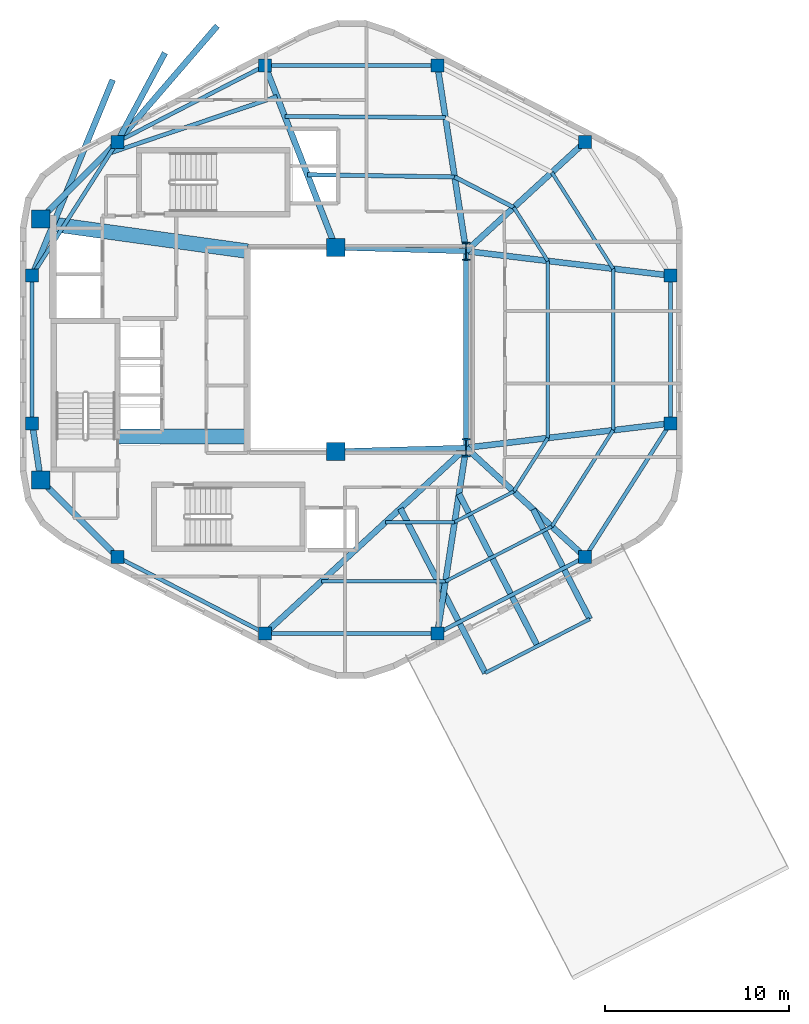
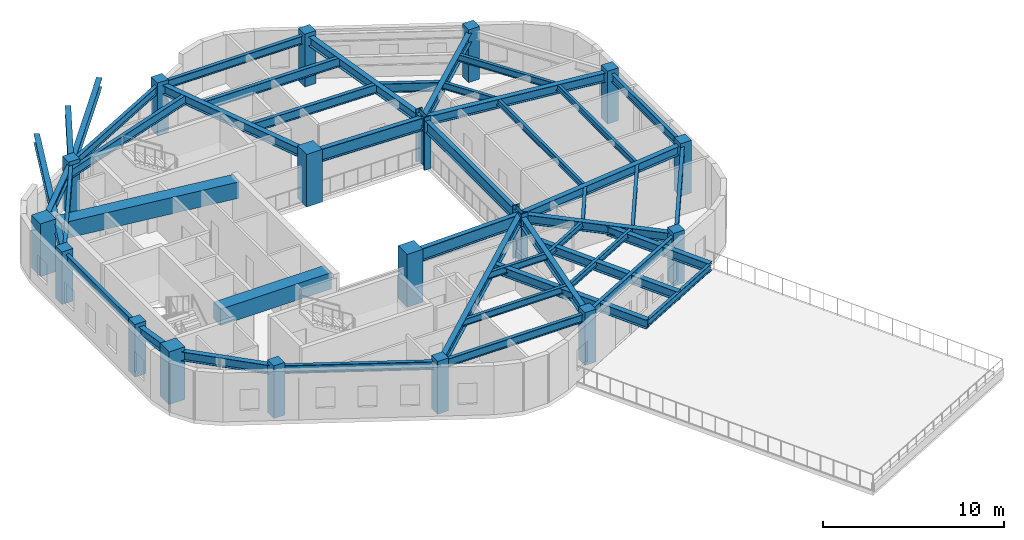
# One storey, part 1 of 8: 46 beams, 18 columns.
"""IFC4 building model written with IfcOpenShell, lengths in metres."""

from ifc_helpers import new_model, si_unit, direction, frame, origin, origin_2d, place, context, subcontext, project, spatial, rectangle, i_section, extrude, material, material_profile, profile_set, type_object, element, save


model = new_model("IFC4")

# Units and contexts
model_context = context("Model", 3, precision=1e-05, world=origin(), true_north=direction((0.0, 1.0)))
body_context = subcontext(model_context, "Body", "Model", "MODEL_VIEW")
ifc_project = project(units=[si_unit("LENGTHUNIT", "METRE"), si_unit("AREAUNIT", "SQUARE_METRE"), si_unit("VOLUMEUNIT", "CUBIC_METRE"), si_unit("PLANEANGLEUNIT", "RADIAN"), si_unit("MASSUNIT", "GRAM", prefix="KILO"), si_unit("THERMODYNAMICTEMPERATUREUNIT", "KELVIN"), si_unit("POWERUNIT", "WATT")], contexts=[model_context])

# Site, building, storey
site_placement = place(None, origin())
site = spatial("IfcSite", under=ifc_project, at=site_placement, CompositionType="ELEMENT")
building_placement = place(site_placement, origin())
building = spatial("IfcBuilding", under=site, at=building_placement, Name="Skarre Station Tower", CompositionType="ELEMENT")
storey_placement = place(building_placement, frame((0.0, 0.0, 245.449951171875)))
storey = spatial("IfcBuildingStorey", under=building, at=storey_placement, Name="L67", CompositionType="ELEMENT", Elevation=245.449951171875)

# Columns
ifc_material_1 = material(Name="Concrete C60/75", Category="concrete")
ifc_material_profile_1 = material_profile(ifc_material_1, rectangle(XDim=1.0, YDim=1.0, at=origin_2d()), Name="Concrete C60/75")
ifc_profile_set_1 = profile_set([ifc_material_profile_1], Name="Concrete C60/75")
column_type_1 = type_object("IfcColumnType", Name="RC Structural Column RC-COL-1000X1000", PredefinedType="COLUMN", material=ifc_profile_set_1)
for number, where, z_axis, x_axis, name in (
    (1, (16.300048828125, 16.89990234375, 0.0), (0.0, 0.0, 1.0), (1.0, 0.0, 0.0), "L67 Core Column CC-SW"),
    (2, (16.300048828125, 31.10009765625, 0.0), (0.0, 0.0, 1.0), (1.0, 0.0, 0.0), "L67 Core Column CC-NW"),
    (3, (32.35009765625, 18.449951171875, 0.0), (0.0, 0.0, 1.0), (1.0, 0.0, 0.0), "L67 Core Column CC-SE"),
    (4, (32.35009765625, 29.550048828125, 0.0), (0.0, 0.0, 1.0), (1.0, 0.0, 0.0), "L67 Core Column CC-NE"),
):
    element("IfcColumn", number, at=place(storey_placement, frame(where, z_axis=z_axis, x_axis=x_axis)), inside=storey, type_object=column_type_1, Name=name, PredefinedType="COLUMN", context=body_context, shape_type="SweptSolid", body=[
        extrude(rectangle(XDim=1.0, YDim=1.0, at=origin_2d()), origin(), (0.0, 0.0, 1.0), 3.550048828125),
    ])
ifc_material_2 = material(Name="Concrete C50/60", Category="concrete")
ifc_material_profile_2 = material_profile(ifc_material_2, rectangle(XDim=0.699951171875, YDim=0.699951171875, at=origin_2d()), Name="Concrete C50/60")
ifc_profile_set_2 = profile_set([ifc_material_profile_2], Name="Concrete C50/60")
column_type_2 = type_object("IfcColumnType", Name="RC Structural Column RC-COL-700X700", PredefinedType="COLUMN", material=ifc_profile_set_2)
for number, where, z_axis, x_axis, name in (
    (5, (45.927001953125, 35.298095703125, 0.0), (0.0, 0.0, 1.0), (1.0, 0.0, 0.0), "L67 Zone 4 Perimeter Column F0C1"),
    (6, (37.888916015625, 39.447021484375, 0.0), (0.0, 0.0, 1.0), (1.0, 0.0, 0.0), "L67 Zone 4 Perimeter Column F0C2"),
    (7, (28.510986328125, 39.447021484375, 0.0), (0.0, 0.0, 1.0), (1.0, 0.0, 0.0), "L67 Zone 4 Perimeter Column F1C1"),
    (8, (20.472900390625, 35.298095703125, 0.0), (0.0, 0.0, 1.0), (1.0, 0.0, 0.0), "L67 Zone 4 Perimeter Column F1C2"),
    (9, (15.8369140625, 28.02099609375, 0.0), (0.0, 0.0, 1.0), (1.0, 0.0, 0.0), "L67 Zone 4 Perimeter Column F2C1"),
    (10, (15.8369140625, 19.97900390625, 0.0), (0.0, 0.0, 1.0), (1.0, 0.0, 0.0), "L67 Zone 4 Perimeter Column F2C2"),
    (11, (20.472900390625, 12.701904296875, 0.0), (0.0, 0.0, 1.0), (1.0, 0.0, 0.0), "L67 Zone 4 Perimeter Column F3C1"),
    (12, (28.510986328125, 8.552978515625, 0.0), (0.0, 0.0, 1.0), (1.0, 0.0, 0.0), "L67 Zone 4 Perimeter Column F3C2"),
    (13, (37.888916015625, 8.552978515625, 0.0), (0.0, 0.0, 1.0), (1.0, 0.0, 0.0), "L67 Zone 4 Perimeter Column F4C1"),
    (14, (45.927001953125, 12.701904296875, 0.0), (0.0, 0.0, 1.0), (1.0, 0.0, 0.0), "L67 Zone 4 Perimeter Column F4C2"),
    (15, (50.56298828125, 19.97900390625, 0.0), (0.0, 0.0, 1.0), (1.0, 0.0, 0.0), "L67 Zone 4 Perimeter Column F5C1"),
    (16, (50.56298828125, 28.02099609375, 0.0), (0.0, 0.0, 1.0), (1.0, 0.0, 0.0), "L67 Zone 4 Perimeter Column F5C2"),
):
    element("IfcColumn", number, at=place(storey_placement, frame(where, z_axis=z_axis, x_axis=x_axis)), inside=storey, type_object=column_type_2, Name=name, PredefinedType="COLUMN", context=body_context, shape_type="SweptSolid", body=[
        extrude(rectangle(XDim=0.699951171875, YDim=0.699951171875, at=origin_2d()), origin(), (0.0, 0.0, 1.0), 3.550048828125),
    ])
ifc_material_3 = material(Name="Steel ASTM A913 Grade 65", Category="steel")
ifc_material_profile_3 = material_profile(ifc_material_3, i_section(OverallWidth=0.430908203125, OverallDepth=0.987060546875, WebThickness=0.033935546875, FlangeThickness=0.06201171875, at=origin_2d()), Name="Steel ASTM A913 Grade 65")
ifc_profile_set_3 = profile_set([ifc_material_profile_3], Name="Steel ASTM A913 Grade 65")
column_type_3 = type_object("IfcColumnType", Name="Steel Column W36X441", PredefinedType="COLUMN", material=ifc_profile_set_3)
for number, where, z_axis, x_axis, name in (
    (17, (39.449951171875, 18.64990234375, 0.0), (0.0, 0.0, 1.0), (1.0, 0.0, 0.0), "L67 Atrium Spine Column AC-SE"),
    (18, (39.449951171875, 29.35009765625, 0.0), (0.0, 0.0, 1.0), (1.0, 0.0, 0.0), "L67 Atrium Spine Column AC-NE"),
):
    element("IfcColumn", number, at=place(storey_placement, frame(where, z_axis=z_axis, x_axis=x_axis)), inside=storey, type_object=column_type_3, Name=name, PredefinedType="COLUMN", context=body_context, shape_type="SweptSolid", body=[
        extrude(i_section(OverallWidth=0.430908203125, OverallDepth=0.987060546875, WebThickness=0.033935546875, FlangeThickness=0.06201171875, at=origin_2d()), origin(), (0.0, 0.0, 1.0), 3.550048828125),
    ])

# Beams
ifc_material_4 = material(Name="Concrete C70/85", Category="concrete")
ifc_material_profile_4 = material_profile(ifc_material_4, rectangle(XDim=0.800048828125, YDim=1.10009765625, at=origin_2d()), Name="Concrete C70/85")
ifc_profile_set_4 = profile_set([ifc_material_profile_4], Name="Concrete C70/85")
beam_type_1 = type_object("IfcBeamType", Name="RC Core Coupling Lintel 800x1100", PredefinedType="LINTEL", material=ifc_profile_set_4)
beam_1_placement = place(storey_placement, frame((20.489990234375, 19.260009765625, 2.739990234375), z_axis=(1.0, 0.0, 0.0), x_axis=(0.0, 1.0, 0.0)))
element("IfcBeam", 19, at=beam_1_placement, inside=storey, type_object=beam_type_1, Name="L67 South Core Coupling Lintel", PredefinedType="LINTEL", context=body_context, shape_type="SweptSolid", body=[
    extrude(rectangle(XDim=0.800048828125, YDim=1.10009765625, at=origin_2d()), origin(), (0.0, 0.0, 1.0), 7.06005859375),
])
beam_2_placement = place(storey_placement, frame((17.050048828125, 30.800048828125, 2.739990234375), z_axis=(0.990599723633, -0.136792498109, 0.0), x_axis=(0.136792498109, 0.990599723633, 0.0)))
element("IfcBeam", 20, at=beam_2_placement, inside=storey, type_object=beam_type_1, Name="L67 North Core Coupling Lintel", PredefinedType="LINTEL", context=body_context, shape_type="SweptSolid", body=[
    extrude(rectangle(XDim=0.800048828125, YDim=1.10009765625, at=origin_2d()), origin(), (0.0, 0.0, 1.0), 10.599609375),
])
ifc_material_5 = material(Name="Steel ASTM A992 Grade 50", Category="steel")
ifc_material_profile_5 = material_profile(ifc_material_5, i_section(OverallWidth=0.323974609375, OverallDepth=0.611083984375, WebThickness=0.012939453125, FlangeThickness=0.01904296875, at=origin_2d()), Name="Steel ASTM A992 Grade 50")
ifc_profile_set_5 = profile_set([ifc_material_profile_5], Name="Steel ASTM A992 Grade 50")
beam_type_2 = type_object("IfcBeamType", Name="Steel Beam W24X104", PredefinedType="BEAM", material=ifc_profile_set_5)
beam_3_placement = place(storey_placement, frame((39.449951171875, 29.35009765625, 2.985107421875), z_axis=(0.736547671183, 0.676385635621, 0.0), x_axis=(-0.676385635621, 0.736547671183, 0.0)))
element("IfcBeam", 21, at=beam_3_placement, inside=storey, type_object=beam_type_2, Name="L67 Radial Floor Girder F0C1", PredefinedType="BEAM", context=body_context, shape_type="SweptSolid", body=[
    extrude(i_section(OverallWidth=0.323974609375, OverallDepth=0.611083984375, WebThickness=0.012939453125, FlangeThickness=0.01904296875, at=origin_2d()), origin(), (0.0, 0.0, 1.0), 8.793701171875),
])
beam_4_placement = place(storey_placement, frame((39.449951171875, 29.35009765625, 2.985107421875), z_axis=(-0.152789762931, 0.988258715288, 0.0), x_axis=(-0.988258715288, -0.152789762931, 0.0)))
element("IfcBeam", 22, at=beam_4_placement, inside=storey, type_object=beam_type_2, Name="L67 Radial Floor Girder F0C2", PredefinedType="BEAM", context=body_context, shape_type="SweptSolid", body=[
    extrude(i_section(OverallWidth=0.323974609375, OverallDepth=0.611083984375, WebThickness=0.012939453125, FlangeThickness=0.01904296875, at=origin_2d()), origin(), (0.0, 0.0, 1.0), 10.216796875),
])
beam_5_placement = place(storey_placement, frame((32.35009765625, 29.550048828125, 2.985107421875), z_axis=(-0.361651478681, 0.932313363611, 0.0), x_axis=(-0.932313363611, -0.361651478681, 0.0)))
element("IfcBeam", 23, at=beam_5_placement, inside=storey, type_object=beam_type_2, Name="L67 Radial Floor Girder F1C1", PredefinedType="BEAM", context=body_context, shape_type="SweptSolid", body=[
    extrude(i_section(OverallWidth=0.323974609375, OverallDepth=0.611083984375, WebThickness=0.012939453125, FlangeThickness=0.01904296875, at=origin_2d()), origin(), (0.0, 0.0, 1.0), 10.615478515625),
])
beam_6_placement = place(storey_placement, frame((16.300048828125, 31.10009765625, 2.985107421875), z_axis=(0.704979413242, 0.709227768002, 0.0), x_axis=(-0.709227768002, 0.704979413242, 0.0)))
element("IfcBeam", 24, at=beam_6_placement, inside=storey, type_object=beam_type_2, Name="L67 Radial Floor Girder F1C2", PredefinedType="BEAM", context=body_context, shape_type="SweptSolid", body=[
    extrude(i_section(OverallWidth=0.323974609375, OverallDepth=0.611083984375, WebThickness=0.012939453125, FlangeThickness=0.01904296875, at=origin_2d()), origin(), (0.0, 0.0, 1.0), 5.919189453125),
])
beam_7_placement = place(storey_placement, frame((16.300048828125, 16.89990234375, 2.985107421875), z_axis=(-0.148739188492, 0.988876460336, 0.0), x_axis=(-0.988876460336, -0.148739188492, 0.0)))
element("IfcBeam", 25, at=beam_7_placement, inside=storey, type_object=beam_type_2, Name="L67 Radial Floor Girder F2C2", PredefinedType="BEAM", context=body_context, shape_type="SweptSolid", body=[
    extrude(i_section(OverallWidth=0.323974609375, OverallDepth=0.611083984375, WebThickness=0.012939453125, FlangeThickness=0.01904296875, at=origin_2d()), origin(), (0.0, 0.0, 1.0), 3.11376953125),
])
beam_8_placement = place(storey_placement, frame((16.300048828125, 16.89990234375, 2.985107421875), z_axis=(0.704979413242, -0.709227768002, 0.0), x_axis=(0.709227768002, 0.704979413242, 0.0)))
element("IfcBeam", 26, at=beam_8_placement, inside=storey, type_object=beam_type_2, Name="L67 Radial Floor Girder F3C1", PredefinedType="BEAM", context=body_context, shape_type="SweptSolid", body=[
    extrude(i_section(OverallWidth=0.323974609375, OverallDepth=0.611083984375, WebThickness=0.012939453125, FlangeThickness=0.01904296875, at=origin_2d()), origin(), (0.0, 0.0, 1.0), 5.919189453125),
])
beam_9_placement = place(storey_placement, frame((39.449951171875, 18.64990234375, 2.985107421875), z_axis=(-0.734822935818, -0.678258986668, 0.0), x_axis=(0.678258986668, -0.734822935818, 0.0)))
element("IfcBeam", 27, at=beam_9_placement, inside=storey, type_object=beam_type_2, Name="L67 Radial Floor Girder F3C2", PredefinedType="BEAM", context=body_context, shape_type="SweptSolid", body=[
    extrude(i_section(OverallWidth=0.323974609375, OverallDepth=0.611083984375, WebThickness=0.012939453125, FlangeThickness=0.01904296875, at=origin_2d()), origin(), (0.0, 0.0, 1.0), 14.886474609375),
])
beam_10_placement = place(storey_placement, frame((39.449951171875, 18.64990234375, 2.985107421875), z_axis=(-0.152789762931, -0.988258715288, 0.0), x_axis=(0.988258715288, -0.152789762931, 0.0)))
element("IfcBeam", 28, at=beam_10_placement, inside=storey, type_object=beam_type_2, Name="L67 Radial Floor Girder F4C1", PredefinedType="BEAM", context=body_context, shape_type="SweptSolid", body=[
    extrude(i_section(OverallWidth=0.323974609375, OverallDepth=0.611083984375, WebThickness=0.012939453125, FlangeThickness=0.01904296875, at=origin_2d()), origin(), (0.0, 0.0, 1.0), 10.216796875),
])
beam_11_placement = place(storey_placement, frame((39.449951171875, 18.64990234375, 2.985107421875), z_axis=(0.736547671183, -0.676385635621, 0.0), x_axis=(0.676385635621, 0.736547671183, 0.0)))
element("IfcBeam", 29, at=beam_11_placement, inside=storey, type_object=beam_type_2, Name="L67 Radial Floor Girder F4C2", PredefinedType="BEAM", context=body_context, shape_type="SweptSolid", body=[
    extrude(i_section(OverallWidth=0.323974609375, OverallDepth=0.611083984375, WebThickness=0.012939453125, FlangeThickness=0.01904296875, at=origin_2d()), origin(), (0.0, 0.0, 1.0), 8.793701171875),
])
for number, where, z_axis, x_axis, name in (
    (30, (39.449951171875, 18.64990234375, 2.985107421875), (0.99292393128, 0.118752122891, 0.0), (-0.118752122891, 0.99292393128, 0.0), "L67 Radial Floor Girder F5C1"),
    (31, (39.449951171875, 29.35009765625, 2.985107421875), (0.99292393128, -0.118752122891, 0.0), (0.118752122891, 0.99292393128, 0.0), "L67 Radial Floor Girder F5C2"),
):
    element("IfcBeam", number, at=place(storey_placement, frame(where, z_axis=z_axis, x_axis=x_axis)), inside=storey, type_object=beam_type_2, Name=name, PredefinedType="BEAM", context=body_context, shape_type="SweptSolid", body=[
        extrude(i_section(OverallWidth=0.323974609375, OverallDepth=0.611083984375, WebThickness=0.012939453125, FlangeThickness=0.01904296875, at=origin_2d()), origin(), (0.0, 0.0, 1.0), 11.192138671875),
    ])
beam_12_placement = place(storey_placement, frame((20.472900390625, 35.298095703125, 2.900146484375), z_axis=(0.472127588492, 0.881530226473, 0.0), x_axis=(-0.881530226473, 0.472127588492, 0.0)))
element("IfcBeam", 32, at=beam_12_placement, inside=storey, type_object=beam_type_2, Name="L67 TB-L68-F1 Center Outrigger Beam", PredefinedType="BEAM", context=body_context, shape_type="SweptSolid", body=[
    extrude(i_section(OverallWidth=0.323974609375, OverallDepth=0.611083984375, WebThickness=0.012939453125, FlangeThickness=0.01904296875, at=origin_2d()), origin(), (0.0, 0.0, 1.0), 5.488037109375),
])
beam_13_placement = place(storey_placement, frame((20.472900390625, 35.298095703125, 2.900146484375), z_axis=(0.652865942718, 0.757473472036, 0.0), x_axis=(-0.757473472036, 0.652865942718, 0.0)))
element("IfcBeam", 33, at=beam_13_placement, inside=storey, type_object=beam_type_2, Name="L67 TB-L68-F1 Outrigger Beam 1", PredefinedType="BEAM", context=body_context, shape_type="SweptSolid", body=[
    extrude(i_section(OverallWidth=0.323974609375, OverallDepth=0.611083984375, WebThickness=0.012939453125, FlangeThickness=0.01904296875, at=origin_2d()), origin(), (0.0, 0.0, 1.0), 8.324951171875),
])
beam_14_placement = place(storey_placement, frame((15.8369140625, 28.02099609375, 2.900146484375), z_axis=(0.380748738813, 0.924678537597, 0.0), x_axis=(-0.924678537597, 0.380748738813, 0.0)))
element("IfcBeam", 34, at=beam_14_placement, inside=storey, type_object=beam_type_2, Name="L67 TB-L68-F1 Outrigger Beam 2", PredefinedType="BEAM", context=body_context, shape_type="SweptSolid", body=[
    extrude(i_section(OverallWidth=0.323974609375, OverallDepth=0.611083984375, WebThickness=0.012939453125, FlangeThickness=0.01904296875, at=origin_2d()), origin(), (0.0, 0.0, 1.0), 11.51416015625),
])
beam_15_placement = place(storey_placement, frame((39.06201171875, 16.14208984375, 2.900146484375), z_axis=(0.458759065554, -0.888560701231, 0.0), x_axis=(0.888560701231, 0.458759065554, 0.0)))
element("IfcBeam", 35, at=beam_15_placement, inside=storey, type_object=beam_type_2, Name="L67 TB-L68-F4 Center Outrigger Beam", PredefinedType="BEAM", context=body_context, shape_type="SweptSolid", body=[
    extrude(i_section(OverallWidth=0.323974609375, OverallDepth=0.611083984375, WebThickness=0.012939453125, FlangeThickness=0.01904296875, at=origin_2d()), origin(), (0.0, 0.0, 1.0), 9.316162109375),
])
beam_16_placement = place(storey_placement, frame((35.87109375, 15.346923828125, 2.900146484375), z_axis=(0.458722557541, -0.88857954917, 0.0), x_axis=(0.88857954917, 0.458722557541, 0.0)))
element("IfcBeam", 36, at=beam_16_placement, inside=storey, type_object=beam_type_2, Name="L67 TB-L68-F4 Outrigger Beam 1", PredefinedType="BEAM", context=body_context, shape_type="SweptSolid", body=[
    extrude(i_section(OverallWidth=0.323974609375, OverallDepth=0.611083984375, WebThickness=0.012939453125, FlangeThickness=0.01904296875, at=origin_2d()), origin(), (0.0, 0.0, 1.0), 10.0732421875),
])
beam_17_placement = place(storey_placement, frame((43.097900390625, 15.300048828125, 2.900146484375), z_axis=(0.45873550942, -0.88857286274, 0.0), x_axis=(0.88857286274, 0.45873550942, 0.0)))
element("IfcBeam", 37, at=beam_17_placement, inside=storey, type_object=beam_type_2, Name="L67 TB-L68-F4 Outrigger Beam 2", PredefinedType="BEAM", context=body_context, shape_type="SweptSolid", body=[
    extrude(i_section(OverallWidth=0.323974609375, OverallDepth=0.611083984375, WebThickness=0.012939453125, FlangeThickness=0.01904296875, at=origin_2d()), origin(), (0.0, 0.0, 1.0), 6.71630859375),
])
ifc_material_profile_6 = material_profile(ifc_material_5, i_section(OverallWidth=0.26806640625, OverallDepth=0.77001953125, WebThickness=0.01611328125, FlangeThickness=0.02490234375, at=origin_2d()), Name="Steel ASTM A992 Grade 50")
ifc_profile_set_6 = profile_set([ifc_material_profile_6], Name="Steel ASTM A992 Grade 50")
beam_type_3 = type_object("IfcBeamType", Name="Steel Beam W30X132", PredefinedType="BEAM", material=ifc_profile_set_6)
beam_18_placement = place(storey_placement, frame((39.449951171875, 18.64990234375, 2.905029296875), z_axis=(0.0, 1.0, 0.0), x_axis=(-1.0, 0.0, 0.0)))
element("IfcBeam", 38, at=beam_18_placement, inside=storey, type_object=beam_type_3, Name="L67 Atrium East Edge Girder", PredefinedType="BEAM", context=body_context, shape_type="SweptSolid", body=[
    extrude(i_section(OverallWidth=0.26806640625, OverallDepth=0.77001953125, WebThickness=0.01611328125, FlangeThickness=0.02490234375, at=origin_2d()), origin(), (0.0, 0.0, 1.0), 10.7001953125),
])
ifc_material_profile_7 = material_profile(ifc_material_5, i_section(OverallWidth=0.2919921875, OverallDepth=0.85888671875, WebThickness=0.01708984375, FlangeThickness=0.031005859375, at=origin_2d()), Name="Steel ASTM A992 Grade 50")
ifc_profile_set_7 = profile_set([ifc_material_profile_7], Name="Steel ASTM A992 Grade 50")
beam_type_4 = type_object("IfcBeamType", Name="Steel Beam W33X169", PredefinedType="BEAM", material=ifc_profile_set_7)
for number, where, z_axis, x_axis, name in (
    (39, (32.35009765625, 18.449951171875, 2.861083984375), (0.999603666405, 0.028151556095, 0.0), (-0.028151556095, 0.999603666405, 0.0), "L67 Atrium South Edge Girder"),
    (40, (32.35009765625, 29.550048828125, 2.861083984375), (0.999603666405, -0.028151556095, 0.0), (0.028151556095, 0.999603666405, 0.0), "L67 Atrium North Edge Girder"),
):
    element("IfcBeam", number, at=place(storey_placement, frame(where, z_axis=z_axis, x_axis=x_axis)), inside=storey, type_object=beam_type_4, Name=name, PredefinedType="BEAM", context=body_context, shape_type="SweptSolid", body=[
        extrude(i_section(OverallWidth=0.2919921875, OverallDepth=0.85888671875, WebThickness=0.01708984375, FlangeThickness=0.031005859375, at=origin_2d()), origin(), (0.0, 0.0, 1.0), 7.102783203125),
    ])
ifc_material_profile_8 = material_profile(ifc_material_5, i_section(OverallWidth=0.177978515625, OverallDepth=0.403076171875, WebThickness=0.008056640625, FlangeThickness=0.010986328125, at=origin_2d()), Name="Steel ASTM A992 Grade 50")
ifc_profile_set_8 = profile_set([ifc_material_profile_8], Name="Steel ASTM A992 Grade 50")
beam_type_5 = type_object("IfcBeamType", Name="Steel Joist W16X36", PredefinedType="JOIST", material=ifc_profile_set_8)
beam_19_placement = place(storey_placement, frame((38.825927734375, 14.611083984375, 3.088134765625), z_axis=(0.888562989562, 0.458754633308, 0.0), x_axis=(-0.458754633308, 0.888562989562, 0.0)))
element("IfcBeam", 41, at=beam_19_placement, inside=storey, type_object=beam_type_5, Name="L67 Auxiliary Composite Joist 11", PredefinedType="JOIST", context=body_context, shape_type="SweptSolid", body=[
    extrude(i_section(OverallWidth=0.177978515625, OverallDepth=0.403076171875, WebThickness=0.008056640625, FlangeThickness=0.010986328125, at=origin_2d()), origin(), (0.0, 0.0, 1.0), 3.618408203125),
])
beam_20_placement = place(storey_placement, frame((38.325927734375, 11.3798828125, 3.088134765625), z_axis=(0.888610306875, 0.458662972689, 0.0), x_axis=(-0.458662972689, 0.888610306875, 0.0)))
element("IfcBeam", 42, at=beam_20_placement, inside=storey, type_object=beam_type_5, Name="L67 Auxiliary Composite Joist 12", PredefinedType="JOIST", context=body_context, shape_type="SweptSolid", body=[
    extrude(i_section(OverallWidth=0.177978515625, OverallDepth=0.403076171875, WebThickness=0.008056640625, FlangeThickness=0.010986328125, at=origin_2d()), origin(), (0.0, 0.0, 1.0), 6.512451171875),
])
beam_21_placement = place(storey_placement, frame((43.89501953125, 19.181884765625, 3.088134765625), z_axis=(0.0, 1.0, 0.0), x_axis=(-1.0, 0.0, 0.0)))
element("IfcBeam", 43, at=beam_21_placement, inside=storey, type_object=beam_type_5, Name="L67 Auxiliary Composite Joist 15", PredefinedType="JOIST", context=body_context, shape_type="SweptSolid", body=[
    extrude(i_section(OverallWidth=0.177978515625, OverallDepth=0.403076171875, WebThickness=0.008056640625, FlangeThickness=0.010986328125, at=origin_2d()), origin(), (0.0, 0.0, 1.0), 9.63623046875),
])
beam_22_placement = place(storey_placement, frame((47.450927734375, 19.60693359375, 3.088134765625), z_axis=(0.0, 1.0, 0.0), x_axis=(-1.0, 0.0, 0.0)))
element("IfcBeam", 44, at=beam_22_placement, inside=storey, type_object=beam_type_5, Name="L67 Auxiliary Composite Joist 16", PredefinedType="JOIST", context=body_context, shape_type="SweptSolid", body=[
    extrude(i_section(OverallWidth=0.177978515625, OverallDepth=0.403076171875, WebThickness=0.008056640625, FlangeThickness=0.010986328125, at=origin_2d()), origin(), (0.0, 0.0, 1.0), 8.7861328125),
])
ifc_material_profile_9 = material_profile(ifc_material_5, i_section(OverallWidth=0.19091796875, OverallDepth=0.45703125, WebThickness=0.009033203125, FlangeThickness=0.013916015625, at=origin_2d()), Name="Steel ASTM A992 Grade 50")
ifc_profile_set_9 = profile_set([ifc_material_profile_9], Name="Steel ASTM A992 Grade 50")
beam_type_6 = type_object("IfcBeamType", Name="Steel Joist W18X50", PredefinedType="JOIST", material=ifc_profile_set_9)
beam_23_placement = place(storey_placement, frame((35.073974609375, 14.611083984375, 3.06201171875), z_axis=(1.0, 0.0, 0.0), x_axis=(0.0, 1.0, 0.0)))
element("IfcBeam", 45, at=beam_23_placement, inside=storey, type_object=beam_type_6, Name="L67 Auxiliary Composite Joist 9", PredefinedType="JOIST", context=body_context, shape_type="SweptSolid", body=[
    extrude(i_section(OverallWidth=0.19091796875, OverallDepth=0.45703125, WebThickness=0.009033203125, FlangeThickness=0.013916015625, at=origin_2d()), origin(), (0.0, 0.0, 1.0), 3.751953125),
])
beam_24_placement = place(storey_placement, frame((31.573974609375, 11.3798828125, 3.06201171875), z_axis=(1.0, 0.0, 0.0), x_axis=(0.0, 1.0, 0.0)))
element("IfcBeam", 46, at=beam_24_placement, inside=storey, type_object=beam_type_6, Name="L67 Auxiliary Composite Joist 10", PredefinedType="JOIST", context=body_context, shape_type="SweptSolid", body=[
    extrude(i_section(OverallWidth=0.19091796875, OverallDepth=0.45703125, WebThickness=0.009033203125, FlangeThickness=0.013916015625, at=origin_2d()), origin(), (0.0, 0.0, 1.0), 6.751953125),
])
beam_25_placement = place(storey_placement, frame((42.041015625, 16.27099609375, 3.06201171875), z_axis=(0.537209598798, 0.843448781468, 0.0), x_axis=(-0.843448781468, 0.537209598798, 0.0)))
element("IfcBeam", 47, at=beam_25_placement, inside=storey, type_object=beam_type_6, Name="L67 Auxiliary Composite Joist 13", PredefinedType="JOIST", context=body_context, shape_type="SweptSolid", body=[
    extrude(i_section(OverallWidth=0.19091796875, OverallDepth=0.45703125, WebThickness=0.009033203125, FlangeThickness=0.013916015625, at=origin_2d()), origin(), (0.0, 0.0, 1.0), 3.451171875),
])
beam_26_placement = place(storey_placement, frame((44.113037109375, 14.366943359375, 3.06201171875), z_axis=(0.537259384828, 0.843417069672, 0.0), x_axis=(-0.843417069672, 0.537259384828, 0.0)))
element("IfcBeam", 48, at=beam_26_placement, inside=storey, type_object=beam_type_6, Name="L67 Auxiliary Composite Joist 14", PredefinedType="JOIST", context=body_context, shape_type="SweptSolid", body=[
    extrude(i_section(OverallWidth=0.19091796875, OverallDepth=0.45703125, WebThickness=0.009033203125, FlangeThickness=0.013916015625, at=origin_2d()), origin(), (0.0, 0.0, 1.0), 6.212890625),
])
beam_27_placement = place(storey_placement, frame((43.89501953125, 28.818115234375, 3.06201171875), z_axis=(-0.537209598798, 0.843448781468, 0.0), x_axis=(-0.843448781468, -0.537209598798, 0.0)))
element("IfcBeam", 49, at=beam_27_placement, inside=storey, type_object=beam_type_6, Name="L67 Auxiliary Composite Joist 17", PredefinedType="JOIST", context=body_context, shape_type="SweptSolid", body=[
    extrude(i_section(OverallWidth=0.19091796875, OverallDepth=0.45703125, WebThickness=0.009033203125, FlangeThickness=0.013916015625, at=origin_2d()), origin(), (0.0, 0.0, 1.0), 3.451171875),
])
beam_28_placement = place(storey_placement, frame((47.450927734375, 28.39306640625, 3.06201171875), z_axis=(-0.537259384828, 0.843417069672, 0.0), x_axis=(-0.843417069672, -0.537259384828, 0.0)))
element("IfcBeam", 50, at=beam_28_placement, inside=storey, type_object=beam_type_6, Name="L67 Auxiliary Composite Joist 18", PredefinedType="JOIST", context=body_context, shape_type="SweptSolid", body=[
    extrude(i_section(OverallWidth=0.19091796875, OverallDepth=0.45703125, WebThickness=0.009033203125, FlangeThickness=0.013916015625, at=origin_2d()), origin(), (0.0, 0.0, 1.0), 6.212890625),
])
beam_29_placement = place(storey_placement, frame((40.491943359375, 6.39599609375, 2.97705078125), z_axis=(0.888569497845, 0.458742027178, 0.0), x_axis=(-0.458742027178, 0.888569497845, 0.0)))
element("IfcBeam", 51, at=beam_29_placement, inside=storey, type_object=beam_type_6, Name="L67 TB-L68-F4 Rim Beam", PredefinedType="JOIST", context=body_context, shape_type="SweptSolid", body=[
    extrude(i_section(OverallWidth=0.19091796875, OverallDepth=0.45703125, WebThickness=0.009033203125, FlangeThickness=0.013916015625, at=origin_2d()), origin(), (0.0, 0.0, 1.0), 6.400146484375),
])
ifc_material_profile_10 = material_profile(ifc_material_5, i_section(OverallWidth=0.22802734375, OverallDepth=0.60791015625, WebThickness=0.010986328125, FlangeThickness=0.01708984375, at=origin_2d()), Name="Steel ASTM A992 Grade 50")
ifc_profile_set_10 = profile_set([ifc_material_profile_10], Name="Steel ASTM A992 Grade 50")
beam_type_7 = type_object("IfcBeamType", Name="Steel Joist W24X76", PredefinedType="JOIST", material=ifc_profile_set_10)
beam_30_placement = place(storey_placement, frame((42.041015625, 31.72900390625, 2.986083984375), z_axis=(-0.888562989562, 0.458754633308, 0.0), x_axis=(-0.458754633308, -0.888562989562, 0.0)))
element("IfcBeam", 52, at=beam_30_placement, inside=storey, type_object=beam_type_7, Name="L67 Secondary Floor Joist 1", PredefinedType="JOIST", context=body_context, shape_type="SweptSolid", body=[
    extrude(i_section(OverallWidth=0.22802734375, OverallDepth=0.60791015625, WebThickness=0.010986328125, FlangeThickness=0.01708984375, at=origin_2d()), origin(), (0.0, 0.0, 1.0), 3.618408203125),
])
beam_31_placement = place(storey_placement, frame((38.825927734375, 33.388916015625, 2.986083984375), z_axis=(-0.999887635467, 0.014990545042, 0.0), x_axis=(-0.014990545042, -0.999887635467, 0.0)))
element("IfcBeam", 53, at=beam_31_placement, inside=storey, type_object=beam_type_7, Name="L67 Secondary Floor Joist 3", PredefinedType="JOIST", context=body_context, shape_type="SweptSolid", body=[
    extrude(i_section(OverallWidth=0.22802734375, OverallDepth=0.60791015625, WebThickness=0.010986328125, FlangeThickness=0.01708984375, at=origin_2d()), origin(), (0.0, 0.0, 1.0), 8.012939453125),
])
beam_32_placement = place(storey_placement, frame((38.325927734375, 36.6201171875, 2.986083984375), z_axis=(-0.999979540932, 0.006396695854, 0.0), x_axis=(-0.006396695854, -0.999979540932, 0.0)))
element("IfcBeam", 54, at=beam_32_placement, inside=storey, type_object=beam_type_7, Name="L67 Secondary Floor Joist 4", PredefinedType="JOIST", context=body_context, shape_type="SweptSolid", body=[
    extrude(i_section(OverallWidth=0.22802734375, OverallDepth=0.60791015625, WebThickness=0.010986328125, FlangeThickness=0.01708984375, at=origin_2d()), origin(), (0.0, 0.0, 1.0), 8.740234375),
])
beam_33_placement = place(storey_placement, frame((29.1640625, 37.764892578125, 2.986083984375), z_axis=(-0.947236771085, -0.320534708736, 0.0), x_axis=(0.320534708736, -0.947236771085, 0.0)))
element("IfcBeam", 55, at=beam_33_placement, inside=storey, type_object=beam_type_7, Name="L67 Secondary Floor Joist 6", PredefinedType="JOIST", context=body_context, shape_type="SweptSolid", body=[
    extrude(i_section(OverallWidth=0.22802734375, OverallDepth=0.60791015625, WebThickness=0.010986328125, FlangeThickness=0.01708984375, at=origin_2d()), origin(), (0.0, 0.0, 1.0), 9.923828125),
])
ifc_material_profile_11 = material_profile(ifc_material_5, i_section(OverallWidth=0.214111328125, OverallDepth=0.549072265625, WebThickness=0.014892578125, FlangeThickness=0.02392578125, at=origin_2d()), Name="Steel ASTM A992 Grade 50")
ifc_profile_set_11 = profile_set([ifc_material_profile_11], Name="Steel ASTM A992 Grade 50")
beam_type_8 = type_object("IfcBeamType", Name="Steel Spandrel W21X93", PredefinedType="SPANDREL", material=ifc_profile_set_11)
beam_34_placement = place(storey_placement, frame((37.888916015625, 39.447021484375, 3.01611328125), z_axis=(-1.0, 0.0, 0.0), x_axis=(0.0, -1.0, 0.0)))
element("IfcBeam", 56, at=beam_34_placement, inside=storey, type_object=beam_type_8, Name="L67 Facet Spandrel Beam 2", PredefinedType="SPANDREL", context=body_context, shape_type="SweptSolid", body=[
    extrude(i_section(OverallWidth=0.214111328125, OverallDepth=0.549072265625, WebThickness=0.014892578125, FlangeThickness=0.02392578125, at=origin_2d()), origin(), (0.0, 0.0, 1.0), 9.3779296875),
])
beam_35_placement = place(storey_placement, frame((28.510986328125, 39.447021484375, 3.01611328125), z_axis=(-0.888610011727, -0.458663544505, 0.0), x_axis=(0.458663544505, -0.888610011727, 0.0)))
element("IfcBeam", 57, at=beam_35_placement, inside=storey, type_object=beam_type_8, Name="L67 Facet Spandrel Beam 3", PredefinedType="SPANDREL", context=body_context, shape_type="SweptSolid", body=[
    extrude(i_section(OverallWidth=0.214111328125, OverallDepth=0.549072265625, WebThickness=0.014892578125, FlangeThickness=0.02392578125, at=origin_2d()), origin(), (0.0, 0.0, 1.0), 9.045654296875),
])
beam_36_placement = place(storey_placement, frame((20.472900390625, 35.298095703125, 3.01611328125), z_axis=(-0.537296523663, -0.843393410965, 0.0), x_axis=(0.843393410965, -0.537296523663, 0.0)))
element("IfcBeam", 58, at=beam_36_placement, inside=storey, type_object=beam_type_8, Name="L67 Facet Spandrel Beam 4", PredefinedType="SPANDREL", context=body_context, shape_type="SweptSolid", body=[
    extrude(i_section(OverallWidth=0.214111328125, OverallDepth=0.549072265625, WebThickness=0.014892578125, FlangeThickness=0.02392578125, at=origin_2d()), origin(), (0.0, 0.0, 1.0), 8.62841796875),
])
beam_37_placement = place(storey_placement, frame((15.8369140625, 28.02099609375, 3.01611328125), z_axis=(0.0, -1.0, 0.0), x_axis=(1.0, 0.0, 0.0)))
element("IfcBeam", 59, at=beam_37_placement, inside=storey, type_object=beam_type_8, Name="L67 Facet Spandrel Beam 5", PredefinedType="SPANDREL", context=body_context, shape_type="SweptSolid", body=[
    extrude(i_section(OverallWidth=0.214111328125, OverallDepth=0.549072265625, WebThickness=0.014892578125, FlangeThickness=0.02392578125, at=origin_2d()), origin(), (0.0, 0.0, 1.0), 8.0419921875),
])
beam_38_placement = place(storey_placement, frame((20.472900390625, 12.701904296875, 3.01611328125), z_axis=(0.888610011727, -0.458663544505, 0.0), x_axis=(0.458663544505, 0.888610011727, 0.0)))
element("IfcBeam", 60, at=beam_38_placement, inside=storey, type_object=beam_type_8, Name="L67 Facet Spandrel Beam 7", PredefinedType="SPANDREL", context=body_context, shape_type="SweptSolid", body=[
    extrude(i_section(OverallWidth=0.214111328125, OverallDepth=0.549072265625, WebThickness=0.014892578125, FlangeThickness=0.02392578125, at=origin_2d()), origin(), (0.0, 0.0, 1.0), 9.045654296875),
])
beam_39_placement = place(storey_placement, frame((28.510986328125, 8.552978515625, 3.01611328125), z_axis=(1.0, 0.0, 0.0), x_axis=(0.0, 1.0, 0.0)))
element("IfcBeam", 61, at=beam_39_placement, inside=storey, type_object=beam_type_8, Name="L67 Facet Spandrel Beam 8", PredefinedType="SPANDREL", context=body_context, shape_type="SweptSolid", body=[
    extrude(i_section(OverallWidth=0.214111328125, OverallDepth=0.549072265625, WebThickness=0.014892578125, FlangeThickness=0.02392578125, at=origin_2d()), origin(), (0.0, 0.0, 1.0), 9.3779296875),
])
beam_40_placement = place(storey_placement, frame((37.888916015625, 8.552978515625, 3.01611328125), z_axis=(0.888610011727, 0.458663544505, 0.0), x_axis=(-0.458663544505, 0.888610011727, 0.0)))
element("IfcBeam", 62, at=beam_40_placement, inside=storey, type_object=beam_type_8, Name="L67 Facet Spandrel Beam 9", PredefinedType="SPANDREL", context=body_context, shape_type="SweptSolid", body=[
    extrude(i_section(OverallWidth=0.214111328125, OverallDepth=0.549072265625, WebThickness=0.014892578125, FlangeThickness=0.02392578125, at=origin_2d()), origin(), (0.0, 0.0, 1.0), 9.045654296875),
])
beam_41_placement = place(storey_placement, frame((45.927001953125, 12.701904296875, 3.01611328125), z_axis=(0.537296523663, 0.843393410965, 0.0), x_axis=(-0.843393410965, 0.537296523663, 0.0)))
element("IfcBeam", 63, at=beam_41_placement, inside=storey, type_object=beam_type_8, Name="L67 Facet Spandrel Beam 10", PredefinedType="SPANDREL", context=body_context, shape_type="SweptSolid", body=[
    extrude(i_section(OverallWidth=0.214111328125, OverallDepth=0.549072265625, WebThickness=0.014892578125, FlangeThickness=0.02392578125, at=origin_2d()), origin(), (0.0, 0.0, 1.0), 8.62841796875),
])
beam_42_placement = place(storey_placement, frame((50.56298828125, 19.97900390625, 3.01611328125), z_axis=(0.0, 1.0, 0.0), x_axis=(-1.0, 0.0, 0.0)))
element("IfcBeam", 64, at=beam_42_placement, inside=storey, type_object=beam_type_8, Name="L67 Facet Spandrel Beam 11", PredefinedType="SPANDREL", context=body_context, shape_type="SweptSolid", body=[
    extrude(i_section(OverallWidth=0.214111328125, OverallDepth=0.549072265625, WebThickness=0.014892578125, FlangeThickness=0.02392578125, at=origin_2d()), origin(), (0.0, 0.0, 1.0), 8.0419921875),
])

save(model, "model.ifc")
